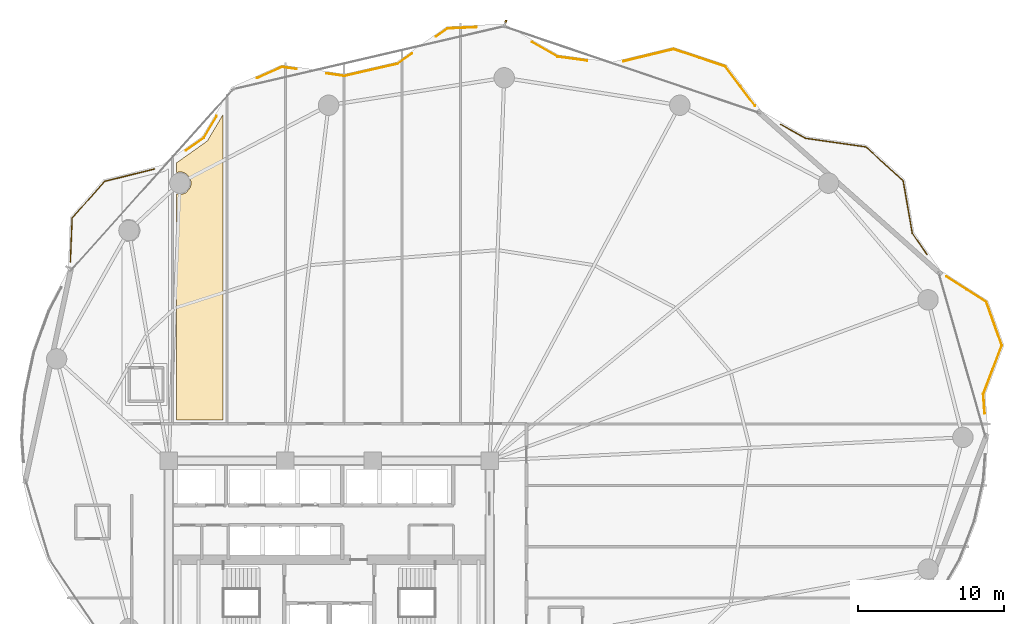
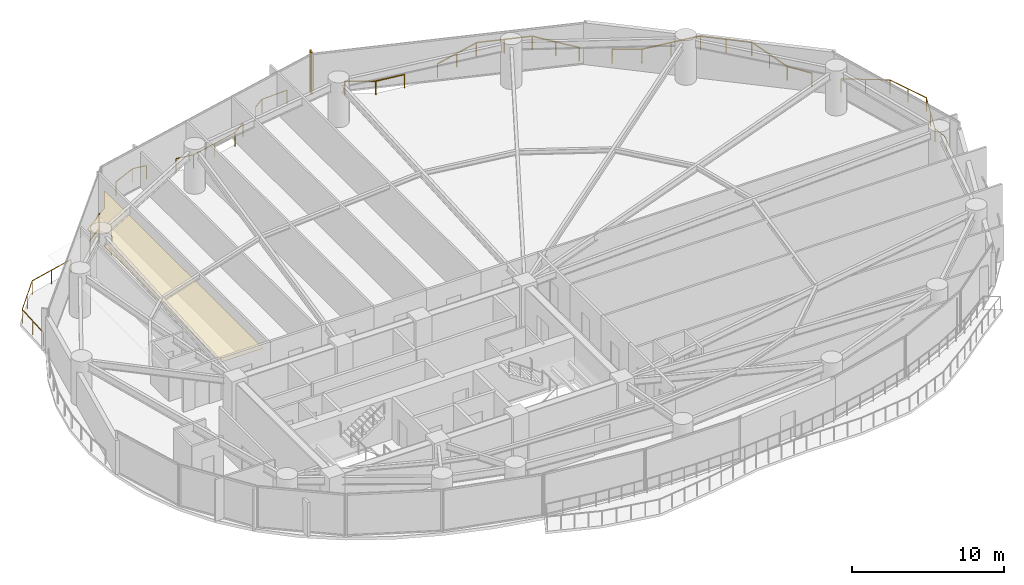
# One storey, part 31 of 31: 9 railings, 1 covering, 1 shading device.
"""IFC4 building model written with IfcOpenShell, lengths in metres."""

from ifc_helpers import new_model, si_unit, direction, frame, origin, origin_2d, place, context, subcontext, project, spatial, polyline, rectangle, outline, extrude, material, layer, layer_set, type_object, element, save


model = new_model("IFC4")

# Units and contexts
model_context = context("Model", 3, precision=1e-05, world=origin(), true_north=direction((0.0, 1.0)))
body_context = subcontext(model_context, "Body", "Model", "MODEL_VIEW")
ifc_project = project(units=[si_unit("LENGTHUNIT", "METRE"), si_unit("AREAUNIT", "SQUARE_METRE"), si_unit("VOLUMEUNIT", "CUBIC_METRE"), si_unit("PLANEANGLEUNIT", "RADIAN"), si_unit("MASSUNIT", "GRAM", prefix="KILO")], contexts=[model_context])

# Site, building, storey
site_placement = place(None, origin())
site = spatial("IfcSite", under=ifc_project, at=site_placement, CompositionType="ELEMENT")
building_placement = place(site_placement, origin())
building = spatial("IfcBuilding", under=site, at=building_placement, Name="Kazevale Care Tower and Concert Hall", CompositionType="ELEMENT")
storey_placement = place(building_placement, frame((0.0, 0.0, 78.0)))
storey = spatial("IfcBuildingStorey", under=building, at=storey_placement, Name="L20", CompositionType="ELEMENT", Elevation=78.0)

# Covering
ifc_material_1 = material(Name="Acoustic Plaster and Hinoki Wood", Category="wood")
ifc_layer = layer(ifc_material_1, 0.0400390625)
ifc_layer_set = layer_set([ifc_layer], Name="Acoustic Plaster and Hinoki Wood")
covering_type = type_object("IfcCoveringType", Name="Acoustic Perforated Wood-Gypsum Ceiling", PredefinedType="CEILING", material=ifc_layer_set)
covering_placement = place(storey_placement, frame((0.0, 0.0, 2.7099609375)))
element("IfcCovering", 1, at=covering_placement, inside=storey, type_object=covering_type, Name="clg:L20:2", PredefinedType="CEILING", context=body_context, shape_type="SweptSolid", body=[
    extrude(outline(polyline([(22.530029296875, 39.205078125), (22.530029296875, 54.68896484375), (22.912109375, 54.6650390625), (23.193115234375, 54.781005859375), (23.48095703125, 55.132080078125), (23.5400390625, 55.429931640625), (23.48095703125, 55.72802734375), (23.193115234375, 56.0791015625), (22.912109375, 56.195068359375), (22.530029296875, 56.1708984375), (22.530029296875, 56.818115234375), (24.64599609375, 58.322021484375), (25.719970703125, 60.1298828125), (25.719970703125, 39.205078125), (22.530029296875, 39.205078125)])), origin(), (0.0, 0.0, 1.0), 0.0400390625),
])

# Railings
ifc_material_2 = material(Name="Anodised Bronze Aluminium and Laminated Glass", Category="aluminium")
railing_type = type_object("IfcRailingType", Name="Balcony and Terrace Balustrade 1120", PredefinedType="BALUSTRADE", material=ifc_material_2)
railing_1_placement = place(storey_placement, frame((15.251953125, 50.034912109375, 0.0)))
element("IfcRailing", 2, at=railing_1_placement, inside=storey, type_object=railing_type, Name="rail:L20:perim:2", PredefinedType="BALUSTRADE", context=body_context, shape_type="SweptSolid", body=[
    extrude(rectangle(XDim=0.048095703125, YDim=0.048095703125, at=origin_2d()), frame((0.0, 0.0, 1.09619140625), z_axis=(0.041074605667, 0.999156082286, 0.0), x_axis=(-0.999156082286, 0.041074605667, 0.0)), (0.0, 0.0, 1.0), 2.99560546875),
    extrude(rectangle(XDim=0.048095703125, YDim=0.048095703125, at=origin_2d()), frame((0.123046875, 2.9931640625, 1.09619140625), z_axis=(0.660590227041, 0.750746662955, 0.0), x_axis=(-0.750746662955, 0.660590227041, 0.0)), (0.0, 0.0, 1.0), 3.360595703125),
    extrude(rectangle(XDim=0.048095703125, YDim=0.048095703125, at=origin_2d()), frame((2.343017578125, 5.51611328125, 1.09619140625), z_axis=(0.970746118015, 0.2401082555, 0.0), x_axis=(-0.2401082555, 0.970746118015, 0.0)), (0.0, 0.0, 1.0), 3.52734375),
    extrude(rectangle(XDim=0.0419921875, YDim=0.0419921875, at=origin_2d()), origin(), (0.0, 0.0, 1.0), 1.072021484375),
    extrude(rectangle(XDim=0.0419921875, YDim=0.0419921875, at=origin_2d()), frame((0.0615234375, 1.49658203125, 0.0)), (0.0, 0.0, 1.0), 1.072021484375),
    extrude(rectangle(XDim=0.0419921875, YDim=0.0419921875, at=origin_2d()), frame((0.123046875, 2.9931640625, 0.0)), (0.0, 0.0, 1.0), 1.072021484375),
    extrude(rectangle(XDim=0.0419921875, YDim=0.0419921875, at=origin_2d()), frame((1.23291015625, 4.254638671875, 0.0)), (0.0, 0.0, 1.0), 1.072021484375),
    extrude(rectangle(XDim=0.0419921875, YDim=0.0419921875, at=origin_2d()), frame((2.343017578125, 5.51611328125, 0.0)), (0.0, 0.0, 1.0), 1.072021484375),
    extrude(rectangle(XDim=0.0419921875, YDim=0.0419921875, at=origin_2d()), frame((4.05517578125, 5.939453125, 0.0)), (0.0, 0.0, 1.0), 1.072021484375),
    extrude(rectangle(XDim=0.0419921875, YDim=0.0419921875, at=origin_2d()), frame((5.76708984375, 6.363037109375, 0.0)), (0.0, 0.0, 1.0), 1.072021484375),
])
railing_2_placement = place(storey_placement, frame((23.18310546875, 57.675048828125, 0.0)))
element("IfcRailing", 3, at=railing_2_placement, inside=storey, type_object=railing_type, Name="rail:L20:perim:3", PredefinedType="BALUSTRADE", context=body_context, shape_type="SweptSolid", body=[
    extrude(rectangle(XDim=0.048095703125, YDim=0.048095703125, at=origin_2d()), frame((0.0, 0.0, 1.09619140625), z_axis=(0.815271476447, 0.579078940813, 0.0), x_axis=(-0.579078940813, 0.815271476447, 0.0)), (0.0, 0.0, 1.0), 1.498779296875),
    extrude(rectangle(XDim=0.048095703125, YDim=0.048095703125, at=origin_2d()), frame((1.221923828125, 0.867919921875, 1.09619140625), z_axis=(0.510989983653, 0.85958666614, 0.0), x_axis=(-0.85958666614, 0.510989983653, 0.0)), (0.0, 0.0, 1.0), 1.71240234375),
    extrude(rectangle(XDim=0.0419921875, YDim=0.0419921875, at=origin_2d()), origin(), (0.0, 0.0, 1.0), 1.072021484375),
    extrude(rectangle(XDim=0.0419921875, YDim=0.0419921875, at=origin_2d()), frame((1.221923828125, 0.867919921875, 0.0)), (0.0, 0.0, 1.0), 1.072021484375),
    extrude(rectangle(XDim=0.0419921875, YDim=0.0419921875, at=origin_2d()), frame((2.096923828125, 2.33984375, 0.0)), (0.0, 0.0, 1.0), 1.072021484375),
])
railing_3_placement = place(storey_placement, frame((28.0439453125, 62.62890625, 0.0)))
element("IfcRailing", 4, at=railing_3_placement, inside=storey, type_object=railing_type, Name="rail:L20:perim:4", PredefinedType="BALUSTRADE", context=body_context, shape_type="SweptSolid", body=[
    extrude(rectangle(XDim=0.048095703125, YDim=0.048095703125, at=origin_2d()), frame((0.0, 0.0, 1.09619140625), z_axis=(0.913352559242, 0.407169623777, 0.0), x_axis=(-0.407169623777, 0.913352559242, 0.0)), (0.0, 0.0, 1.0), 1.888671875),
    extrude(rectangle(XDim=0.048095703125, YDim=0.048095703125, at=origin_2d()), frame((1.72509765625, 0.76904296875, 1.09619140625), z_axis=(0.989558795052, -0.144129771854, 0.0), x_axis=(0.144129771854, 0.989558795052, 0.0)), (0.0, 0.0, 1.0), 0.984130859375),
    extrude(rectangle(XDim=0.0419921875, YDim=0.0419921875, at=origin_2d()), origin(), (0.0, 0.0, 1.0), 1.072021484375),
    extrude(rectangle(XDim=0.0419921875, YDim=0.0419921875, at=origin_2d()), frame((1.72509765625, 0.76904296875, 0.0)), (0.0, 0.0, 1.0), 1.072021484375),
    extrude(rectangle(XDim=0.0419921875, YDim=0.0419921875, at=origin_2d()), frame((2.698974609375, 0.627197265625, 0.0)), (0.0, 0.0, 1.0), 1.072021484375),
])
railing_4_placement = place(storey_placement, frame((32.80810546875, 62.9560546875, 0.0)))
element("IfcRailing", 5, at=railing_4_placement, inside=storey, type_object=railing_type, Name="rail:L20:perim:5", PredefinedType="BALUSTRADE", context=body_context, shape_type="SweptSolid", body=[
    extrude(rectangle(XDim=0.048095703125, YDim=0.048095703125, at=origin_2d()), frame((0.0, 0.0, 1.09619140625), z_axis=(0.989473394726, -0.144714896018, 0.0), x_axis=(0.144714896018, 0.989473394726, 0.0)), (0.0, 0.0, 1.0), 1.2451171875),
    extrude(rectangle(XDim=0.048095703125, YDim=0.048095703125, at=origin_2d()), frame((1.23193359375, -0.18017578125, 1.09619140625), z_axis=(0.974721611797, 0.223422871469, 0.0), x_axis=(-0.223422871469, 0.974721611797, 0.0)), (0.0, 0.0, 1.0), 3.72412109375),
    extrude(rectangle(XDim=0.048095703125, YDim=0.048095703125, at=origin_2d()), frame((4.86181640625, 0.65185546875, 1.09619140625), z_axis=(0.817531019455, 0.575884565021, 0.0), x_axis=(-0.575884565021, 0.817531019455, 0.0)), (0.0, 0.0, 1.0), 1.236572265625),
    extrude(rectangle(XDim=0.0419921875, YDim=0.0419921875, at=origin_2d()), origin(), (0.0, 0.0, 1.0), 1.072021484375),
    extrude(rectangle(XDim=0.0419921875, YDim=0.0419921875, at=origin_2d()), frame((1.23193359375, -0.18017578125, 0.0)), (0.0, 0.0, 1.0), 1.072021484375),
    extrude(rectangle(XDim=0.0419921875, YDim=0.0419921875, at=origin_2d()), frame((3.046875, 0.23583984375, 0.0)), (0.0, 0.0, 1.0), 1.072021484375),
    extrude(rectangle(XDim=0.0419921875, YDim=0.0419921875, at=origin_2d()), frame((4.86181640625, 0.65185546875, 0.0)), (0.0, 0.0, 1.0), 1.072021484375),
    extrude(rectangle(XDim=0.0419921875, YDim=0.0419921875, at=origin_2d()), frame((5.872802734375, 1.364013671875, 0.0)), (0.0, 0.0, 1.0), 1.072021484375),
])
railing_5_placement = place(storey_placement, frame((40.33203125, 65.48388671875, 0.0)))
element("IfcRailing", 6, at=railing_5_placement, inside=storey, type_object=railing_type, Name="rail:L20:perim:6", PredefinedType="BALUSTRADE", context=body_context, shape_type="SweptSolid", body=[
    extrude(rectangle(XDim=0.048095703125, YDim=0.048095703125, at=origin_2d()), frame((0.0, 0.0, 1.09619140625), z_axis=(0.81724423362, 0.576291473661, 0.0), x_axis=(-0.576291473661, 0.81724423362, 0.0)), (0.0, 0.0, 1.0), 0.954345703125),
    extrude(rectangle(XDim=0.048095703125, YDim=0.048095703125, at=origin_2d()), frame((0.780029296875, 0.550048828125, 1.09619140625), z_axis=(0.998979482106, 0.045166296416, 0.0), x_axis=(-0.045166296416, 0.998979482106, 0.0)), (0.0, 0.0, 1.0), 1.972900390625),
    extrude(rectangle(XDim=0.0419921875, YDim=0.0419921875, at=origin_2d()), origin(), (0.0, 0.0, 1.0), 1.072021484375),
    extrude(rectangle(XDim=0.0419921875, YDim=0.0419921875, at=origin_2d()), frame((0.780029296875, 0.550048828125, 0.0)), (0.0, 0.0, 1.0), 1.072021484375),
    extrude(rectangle(XDim=0.0419921875, YDim=0.0419921875, at=origin_2d()), frame((2.7509765625, 0.63916015625, 0.0)), (0.0, 0.0, 1.0), 1.072021484375),
])
railing_6_placement = place(storey_placement, frame((46.89404296875, 65.111083984375, 0.0)))
element("IfcRailing", 7, at=railing_6_placement, inside=storey, type_object=railing_type, Name="rail:L20:perim:7", PredefinedType="BALUSTRADE", context=body_context, shape_type="SweptSolid", body=[
    extrude(rectangle(XDim=0.048095703125, YDim=0.048095703125, at=origin_2d()), frame((0.0, 0.0, 1.09619140625), z_axis=(0.869101036599, -0.494634600673, 0.0), x_axis=(0.494634600673, 0.869101036599, 0.0)), (0.0, 0.0, 1.0), 2.0458984375),
    extrude(rectangle(XDim=0.048095703125, YDim=0.048095703125, at=origin_2d()), frame((1.778076171875, -1.011962890625, 1.09619140625), z_axis=(0.990941564824, -0.134293764205, 0.0), x_axis=(0.134293764205, 0.990941564824, 0.0)), (0.0, 0.0, 1.0), 2.0341796875),
    extrude(rectangle(XDim=0.0419921875, YDim=0.0419921875, at=origin_2d()), origin(), (0.0, 0.0, 1.0), 1.072021484375),
    extrude(rectangle(XDim=0.0419921875, YDim=0.0419921875, at=origin_2d()), frame((1.778076171875, -1.011962890625, 0.0)), (0.0, 0.0, 1.0), 1.072021484375),
    extrude(rectangle(XDim=0.0419921875, YDim=0.0419921875, at=origin_2d()), frame((3.7939453125, -1.28515625, 0.0)), (0.0, 0.0, 1.0), 1.072021484375),
])
railing_7_placement = place(storey_placement, frame((53.178955078125, 63.785888671875, 0.0)))
element("IfcRailing", 8, at=railing_7_placement, inside=storey, type_object=railing_type, Name="rail:L20:perim:8", PredefinedType="BALUSTRADE", context=body_context, shape_type="SweptSolid", body=[
    extrude(rectangle(XDim=0.048095703125, YDim=0.048095703125, at=origin_2d()), frame((0.0, 0.0, 1.09619140625), z_axis=(0.971976910222, 0.235076340782, 0.0), x_axis=(-0.235076340782, 0.971976910222, 0.0)), (0.0, 0.0, 1.0), 3.522705078125),
    extrude(rectangle(XDim=0.048095703125, YDim=0.048095703125, at=origin_2d()), frame((3.424072265625, 0.828125, 1.09619140625), z_axis=(0.948423028768, -0.317007505436, 0.0), x_axis=(0.317007505436, 0.948423028768, 0.0)), (0.0, 0.0, 1.0), 3.7568359375),
    extrude(rectangle(XDim=0.048095703125, YDim=0.048095703125, at=origin_2d()), frame((6.987060546875, -0.36279296875, 1.09619140625), z_axis=(0.6033118617, -0.797505358936, 0.0), x_axis=(0.797505358936, 0.6033118617, 0.0)), (0.0, 0.0, 1.0), 3.3681640625),
    extrude(rectangle(XDim=0.0419921875, YDim=0.0419921875, at=origin_2d()), origin(), (0.0, 0.0, 1.0), 1.072021484375),
    extrude(rectangle(XDim=0.0419921875, YDim=0.0419921875, at=origin_2d()), frame((1.7119140625, 0.4140625, 0.0)), (0.0, 0.0, 1.0), 1.072021484375),
    extrude(rectangle(XDim=0.0419921875, YDim=0.0419921875, at=origin_2d()), frame((3.424072265625, 0.828125, 0.0)), (0.0, 0.0, 1.0), 1.072021484375),
    extrude(rectangle(XDim=0.0419921875, YDim=0.0419921875, at=origin_2d()), frame((5.20556640625, 0.232666015625, 0.0)), (0.0, 0.0, 1.0), 1.072021484375),
    extrude(rectangle(XDim=0.0419921875, YDim=0.0419921875, at=origin_2d()), frame((6.987060546875, -0.36279296875, 0.0)), (0.0, 0.0, 1.0), 1.072021484375),
    extrude(rectangle(XDim=0.0419921875, YDim=0.0419921875, at=origin_2d()), frame((8.0029296875, -1.705810546875, 0.0)), (0.0, 0.0, 1.0), 1.072021484375),
    extrude(rectangle(XDim=0.0419921875, YDim=0.0419921875, at=origin_2d()), frame((9.01904296875, -3.048828125, 0.0)), (0.0, 0.0, 1.0), 1.072021484375),
])
railing_8_placement = place(storey_placement, frame((63.962890625, 59.4599609375, 0.0)))
element("IfcRailing", 9, at=railing_8_placement, inside=storey, type_object=railing_type, Name="rail:L20:perim:9", PredefinedType="BALUSTRADE", context=body_context, shape_type="SweptSolid", body=[
    extrude(rectangle(XDim=0.048095703125, YDim=0.048095703125, at=origin_2d()), frame((0.0, 0.0, 1.09619140625), z_axis=(0.87100743995, -0.491269823572, 0.0), x_axis=(0.491269823572, 0.87100743995, 0.0)), (0.0, 0.0, 1.0), 1.941650390625),
    extrude(rectangle(XDim=0.048095703125, YDim=0.048095703125, at=origin_2d()), frame((1.691162109375, -0.953857421875, 1.09619140625), z_axis=(0.989923784735, -0.141601202028, 0.0), x_axis=(0.141601202028, 0.989923784735, 0.0)), (0.0, 0.0, 1.0), 4.18115234375),
    extrude(rectangle(XDim=0.048095703125, YDim=0.048095703125, at=origin_2d()), frame((5.830078125, -1.5458984375, 1.09619140625), z_axis=(0.742300328983, -0.670067326163, 0.0), x_axis=(0.670067326163, 0.742300328983, 0.0)), (0.0, 0.0, 1.0), 3.447509765625),
    extrude(rectangle(XDim=0.048095703125, YDim=0.048095703125, at=origin_2d()), frame((8.38916015625, -3.85595703125, 1.09619140625), z_axis=(0.170970284775, -0.985276185505, 0.0), x_axis=(0.985276185505, 0.170970284775, 0.0)), (0.0, 0.0, 1.0), 3.6669921875),
    extrude(rectangle(XDim=0.048095703125, YDim=0.048095703125, at=origin_2d()), frame((9.01611328125, -7.468994140625, 1.09619140625), z_axis=(0.570574482476, -0.821245858405, 0.0), x_axis=(0.821245858405, 0.570574482476, 0.0)), (0.0, 0.0, 1.0), 1.766845703125),
    extrude(rectangle(XDim=0.0419921875, YDim=0.0419921875, at=origin_2d()), origin(), (0.0, 0.0, 1.0), 1.072021484375),
    extrude(rectangle(XDim=0.0419921875, YDim=0.0419921875, at=origin_2d()), frame((1.691162109375, -0.953857421875, 0.0)), (0.0, 0.0, 1.0), 1.072021484375),
    extrude(rectangle(XDim=0.0419921875, YDim=0.0419921875, at=origin_2d()), frame((3.7607421875, -1.25, 0.0)), (0.0, 0.0, 1.0), 1.072021484375),
    extrude(rectangle(XDim=0.0419921875, YDim=0.0419921875, at=origin_2d()), frame((5.830078125, -1.5458984375, 0.0)), (0.0, 0.0, 1.0), 1.072021484375),
    extrude(rectangle(XDim=0.0419921875, YDim=0.0419921875, at=origin_2d()), frame((7.109619140625, -2.700927734375, 0.0)), (0.0, 0.0, 1.0), 1.072021484375),
    extrude(rectangle(XDim=0.0419921875, YDim=0.0419921875, at=origin_2d()), frame((8.38916015625, -3.85595703125, 0.0)), (0.0, 0.0, 1.0), 1.072021484375),
    extrude(rectangle(XDim=0.0419921875, YDim=0.0419921875, at=origin_2d()), frame((8.70263671875, -5.66259765625, 0.0)), (0.0, 0.0, 1.0), 1.072021484375),
    extrude(rectangle(XDim=0.0419921875, YDim=0.0419921875, at=origin_2d()), frame((9.01611328125, -7.468994140625, 0.0)), (0.0, 0.0, 1.0), 1.072021484375),
    extrude(rectangle(XDim=0.0419921875, YDim=0.0419921875, at=origin_2d()), frame((10.024169921875, -8.919921875, 0.0)), (0.0, 0.0, 1.0), 1.072021484375),
])
railing_9_placement = place(storey_placement, frame((75.3349609375, 49.01708984375, 0.0)))
element("IfcRailing", 10, at=railing_9_placement, inside=storey, type_object=railing_type, Name="rail:L20:perim:11", PredefinedType="BALUSTRADE", context=body_context, shape_type="SweptSolid", body=[
    extrude(rectangle(XDim=0.048095703125, YDim=0.048095703125, at=origin_2d()), frame((0.0, 0.0, 1.09619140625), z_axis=(0.842161842335, -0.539224843006, 0.0), x_axis=(0.539224843006, 0.842161842335, 0.0)), (0.0, 0.0, 1.0), 3.238037109375),
    extrude(rectangle(XDim=0.048095703125, YDim=0.048095703125, at=origin_2d()), frame((2.72705078125, -1.74609375, 1.09619140625), z_axis=(0.336169134452, -0.941801631471, 0.0), x_axis=(0.941801631471, 0.336169134452, 0.0)), (0.0, 0.0, 1.0), 3.143798828125),
    extrude(rectangle(XDim=0.048095703125, YDim=0.048095703125, at=origin_2d()), frame((3.783935546875, -4.70703125, 1.09619140625), z_axis=(-0.356009559773, -0.934482313022, 0.0), x_axis=(0.934482313022, -0.356009559773, 0.0)), (0.0, 0.0, 1.0), 3.566650390625),
    extrude(rectangle(XDim=0.048095703125, YDim=0.048095703125, at=origin_2d()), frame((2.51416015625, -8.0400390625, 1.09619140625), z_axis=(0.070815678785, -0.997489418309, 0.0), x_axis=(0.997489418309, 0.070815678785, 0.0)), (0.0, 0.0, 1.0), 1.327392578125),
    extrude(rectangle(XDim=0.0419921875, YDim=0.0419921875, at=origin_2d()), origin(), (0.0, 0.0, 1.0), 1.072021484375),
    extrude(rectangle(XDim=0.0419921875, YDim=0.0419921875, at=origin_2d()), frame((1.363525390625, -0.873046875, 0.0)), (0.0, 0.0, 1.0), 1.072021484375),
    extrude(rectangle(XDim=0.0419921875, YDim=0.0419921875, at=origin_2d()), frame((2.72705078125, -1.74609375, 0.0)), (0.0, 0.0, 1.0), 1.072021484375),
    extrude(rectangle(XDim=0.0419921875, YDim=0.0419921875, at=origin_2d()), frame((3.25537109375, -3.2265625, 0.0)), (0.0, 0.0, 1.0), 1.072021484375),
    extrude(rectangle(XDim=0.0419921875, YDim=0.0419921875, at=origin_2d()), frame((3.783935546875, -4.70703125, 0.0)), (0.0, 0.0, 1.0), 1.072021484375),
    extrude(rectangle(XDim=0.0419921875, YDim=0.0419921875, at=origin_2d()), frame((3.14892578125, -6.37353515625, 0.0)), (0.0, 0.0, 1.0), 1.072021484375),
    extrude(rectangle(XDim=0.0419921875, YDim=0.0419921875, at=origin_2d()), frame((2.51416015625, -8.0400390625, 0.0)), (0.0, 0.0, 1.0), 1.072021484375),
    extrude(rectangle(XDim=0.0419921875, YDim=0.0419921875, at=origin_2d()), frame((2.608154296875, -9.364013671875, 0.0)), (0.0, 0.0, 1.0), 1.072021484375),
])

# Shading device
ifc_material_3 = material(Name="Honed Ochre Limestone", Category="masonry")
shading_device_type = type_object("IfcShadingDeviceType", Name="Vertical Honed Limestone Fin FIN-01", PredefinedType="USERDEFINED", material=ifc_material_3)
shading_device_placement = place(storey_placement, frame((45.08251953125, 66.41650390625, 0.0), z_axis=(0.0, 0.0, 1.0), x_axis=(0.320612990586, 0.947210277746, 0.0)))
element("IfcShadingDevice", 11, at=shading_device_placement, inside=storey, type_object=shading_device_type, Name="cw:L20:f16:fin", ObjectType="FIN", PredefinedType="USERDEFINED", context=body_context, shape_type="SweptSolid", body=[
    extrude(rectangle(XDim=0.3798828125, YDim=0.1201171875, at=origin_2d()), origin(), (0.0, 0.0, 1.0), 3.360107421875),
])

save(model, "model.ifc")
